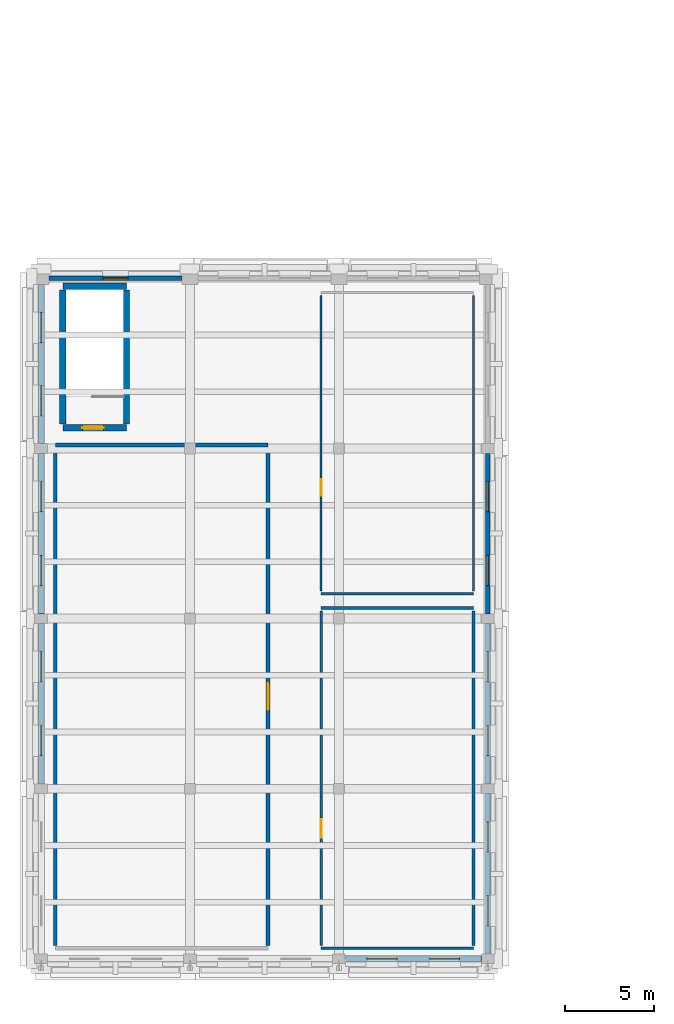
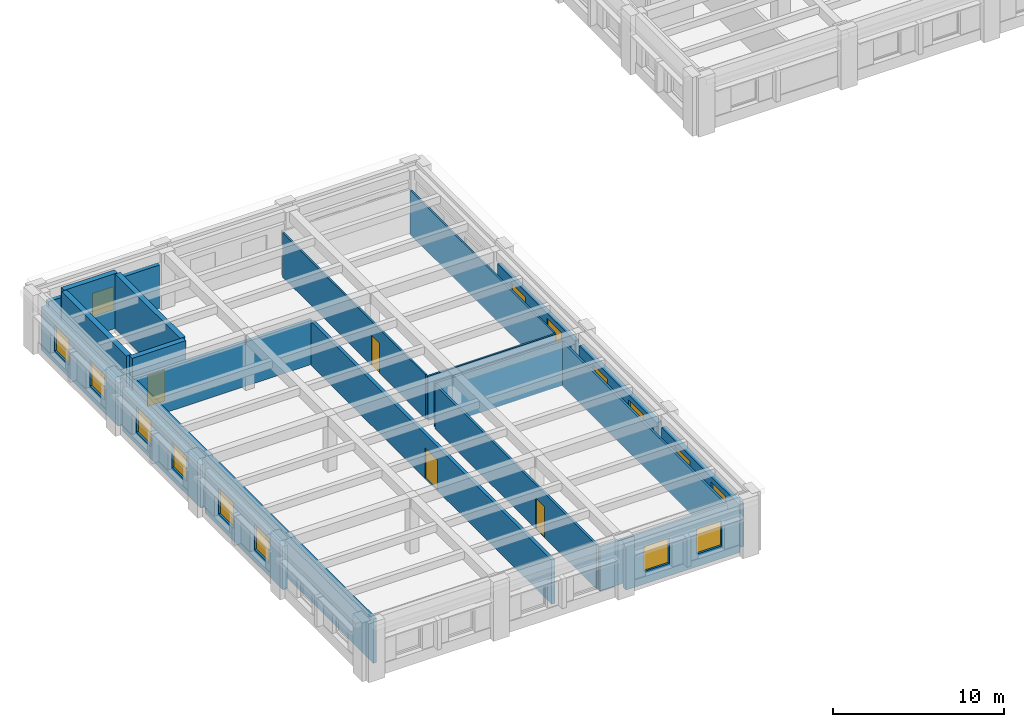
# One storey, part 7 of 17: 22 walls, 15 windows, 4 doors, 19 openings.
"""IFC4 building model written with IfcOpenShell, lengths in metres."""

from ifc_helpers import new_model, si_unit, direction, frame, frame_2d, origin, place, context, subcontext, project, spatial, rectangle, extrude, material, layer, layer_set, type_object, element, fill, save


model = new_model("IFC4")

# Units and contexts
model_context = context("Model", 3, precision=1e-05, world=origin(), true_north=direction((0.0, 1.0)))
body_context = subcontext(model_context, "Body", "Model", "MODEL_VIEW")
ifc_project = project(units=[si_unit("LENGTHUNIT", "METRE"), si_unit("AREAUNIT", "SQUARE_METRE"), si_unit("VOLUMEUNIT", "CUBIC_METRE"), si_unit("PLANEANGLEUNIT", "RADIAN"), si_unit("MASSUNIT", "GRAM", prefix="KILO")], contexts=[model_context])

# Site, building, storey
site_placement = place(None, origin())
site = spatial("IfcSite", under=ifc_project, at=site_placement, CompositionType="ELEMENT")
building_placement = place(site_placement, origin())
building = spatial("IfcBuilding", under=site, at=building_placement, Name="Bempovik Park Faculty of Sciences", CompositionType="ELEMENT")
storey_placement = place(building_placement, frame((0.0, 0.0, 22.5)))
storey = spatial("IfcBuildingStorey", under=building, at=storey_placement, Name="L05", CompositionType="ELEMENT", Elevation=22.5)

# Wall
ifc_material_1 = material(Name="Gypsum acoustic stud assembly")
ifc_layer_1 = layer(ifc_material_1, 0.1201171875)
ifc_layer_set_1 = layer_set([ifc_layer_1], Name="Gypsum acoustic stud assembly")
wall_type_1 = type_object("IfcWallType", Name="W-17 Wall 120mm", PredefinedType="PARTITIONING", material=ifc_layer_set_1)
wall_1_placement = place(storey_placement, frame((31.39990234375, 69.199951171875, 0.0), z_axis=(0.0, 0.0, 1.0), x_axis=(1.0, 0.0, 0.0)))
element("IfcWall", 1, at=wall_1_placement, inside=storey, type_object=wall_type_1, Name="L05 West Wing Principal Investigator Offices Partition South", PredefinedType="PARTITIONING", context=body_context, shape_type="SweptSolid", body=[
    extrude(rectangle(XDim=8.60009765625, YDim=0.1201171875, at=frame_2d((4.300048828125, 0.0))), origin(), (0.0, 0.0, 1.0), 3.14990234375),
])

# Wall, opening, door
wall_2_placement = place(storey_placement, frame((31.39990234375, 69.360107421875, 0.0), z_axis=(0.0, 0.0, 1.0), x_axis=(0.0, 1.0, 0.0)))
wall_2 = element("IfcWall", 2, at=wall_2_placement, inside=storey, type_object=wall_type_1, Name="L05 West Wing Principal Investigator Offices Partition West", PredefinedType="PARTITIONING", context=body_context, shape_type="SweptSolid", body=[
    extrude(rectangle(XDim=16.679931640625, YDim=0.1201171875, at=frame_2d((8.33984375, 0.0))), origin(), (0.0, 0.0, 1.0), 3.14990234375),
])
opening_1_placement = place(wall_2_placement, frame((5.363037109375, 0.0, 0.0)))
opening_1 = element("IfcOpeningElement", 3, at=opening_1_placement, cuts=wall_2, Name="Opening D-47", PredefinedType="OPENING", context=body_context, shape_type="SweptSolid", body=[
    extrude(rectangle(XDim=0.949951171875, YDim=2.14990234375, at=frame_2d((0.47509765625, 1.074951171875))), frame((0.0, 0.070068359375, 0.0), z_axis=(0.0, -1.0, 0.0), x_axis=(1.0, 0.0, 0.0)), (0.0, 0.0, 1.0), 0.14013671875),
])
ifc_material_2 = material(Name="West African hardwood finish", Category="wood")
door_type_1 = type_object("IfcDoorType", Name="D-47 Door 950x2150", OperationType="NOTDEFINED", PredefinedType="DOOR", material=ifc_material_2)
door_1_placement = place(opening_1_placement, origin())
door_1 = element("IfcDoor", 4, at=door_1_placement, inside=storey, type_object=door_type_1, Name="L05 West Wing Principal Investigator Offices Door", OperationType="SINGLE_SWING_LEFT", OverallHeight=2.14990234375, OverallWidth=0.949951171875, PredefinedType="DOOR", context=body_context, shape_type="SweptSolid", body=[
    extrude(rectangle(XDim=0.949951171875, YDim=2.14990234375, at=frame_2d((0.47509765625, 1.074951171875))), frame((0.0, 0.02490234375, 0.0), z_axis=(0.0, -1.0, 0.0), x_axis=(1.0, 0.0, 0.0)), (0.0, 0.0, 1.0), 0.050048828125),
])
fill(opening_1, door_1)

# Walls
wall_3_placement = place(storey_placement, frame((40.0, 69.360107421875, 0.0), z_axis=(0.0, 0.0, 1.0), x_axis=(0.0, 1.0, 0.0)))
element("IfcWall", 5, at=wall_3_placement, inside=storey, type_object=wall_type_1, Name="L05 West Wing Principal Investigator Offices Partition East", PredefinedType="PARTITIONING", context=body_context, shape_type="SweptSolid", body=[
    extrude(rectangle(XDim=16.679931640625, YDim=0.1201171875, at=frame_2d((8.33984375, 0.0))), origin(), (0.0, 0.0, 1.0), 3.14990234375),
])
ifc_material_3 = material(Name="Concrete C35/45", Category="concrete")
ifc_layer_2 = layer(ifc_material_3, 0.219970703125)
ifc_layer_set_2 = layer_set([ifc_layer_2], Name="Concrete C35/45")
wall_type_2 = type_object("IfcWallType", Name="W-38 Wall 220mm", PredefinedType="PARTITIONING", material=ifc_layer_set_2)
wall_4_placement = place(storey_placement, frame((16.39990234375, 77.60009765625, 0.0), z_axis=(0.0, 0.0, 1.0), x_axis=(1.0, 0.0, 0.0)))
element("IfcWall", 6, at=wall_4_placement, inside=storey, type_object=wall_type_2, Name="L05 Tropical Plant Physiology Laboratory Partition North", PredefinedType="PARTITIONING", context=body_context, shape_type="SweptSolid", body=[
    extrude(rectangle(XDim=12.0, YDim=0.219970703125, at=frame_2d((6.0, 0.0))), origin(), (0.0, 0.0, 1.0), 3.14990234375),
])
wall_5_placement = place(storey_placement, frame((16.39990234375, 49.360107421875, 0.0), z_axis=(0.0, 0.0, 1.0), x_axis=(0.0, 1.0, 0.0)))
element("IfcWall", 7, at=wall_5_placement, inside=storey, type_object=wall_type_2, Name="L05 Tropical Plant Physiology Laboratory Partition West", PredefinedType="PARTITIONING", context=body_context, shape_type="SweptSolid", body=[
    extrude(rectangle(XDim=28.079833984375, YDim=0.219970703125, at=frame_2d((14.0400390625, 0.0))), origin(), (0.0, 0.0, 1.0), 3.14990234375),
])

# Wall, opening, door
wall_6_placement = place(storey_placement, frame((28.39990234375, 49.360107421875, 0.0), z_axis=(0.0, 0.0, 1.0), x_axis=(0.0, 1.0, 0.0)))
wall_6 = element("IfcWall", 8, at=wall_6_placement, inside=storey, type_object=wall_type_2, Name="L05 Tropical Plant Physiology Laboratory Partition East", PredefinedType="PARTITIONING", context=body_context, shape_type="SweptSolid", body=[
    extrude(rectangle(XDim=28.079833984375, YDim=0.219970703125, at=frame_2d((14.0400390625, 0.0))), origin(), (0.0, 0.0, 1.0), 3.14990234375),
])
opening_2_placement = place(wall_6_placement, frame((13.2900390625, 0.0, 0.0)))
opening_2 = element("IfcOpeningElement", 9, at=opening_2_placement, cuts=wall_6, Name="Opening D-22", PredefinedType="OPENING", context=body_context, shape_type="SweptSolid", body=[
    extrude(rectangle(XDim=1.5, YDim=2.199951171875, at=frame_2d((0.75, 1.10009765625))), frame((0.0, 0.1201171875, 0.0), z_axis=(0.0, -1.0, 0.0), x_axis=(1.0, 0.0, 0.0)), (0.0, 0.0, 1.0), 0.239990234375),
])
door_type_2 = type_object("IfcDoorType", Name="D-22 Door 1500x2200", OperationType="NOTDEFINED", PredefinedType="DOOR", material=ifc_material_2)
door_2_placement = place(opening_2_placement, origin())
door_2 = element("IfcDoor", 10, at=door_2_placement, inside=storey, type_object=door_type_2, Name="L05 Tropical Plant Physiology Laboratory Door", OperationType="SINGLE_SWING_LEFT", OverallHeight=2.199951171875, OverallWidth=1.5, PredefinedType="DOOR", context=body_context, shape_type="SweptSolid", body=[
    extrude(rectangle(XDim=1.5, YDim=2.199951171875, at=frame_2d((0.75, 1.10009765625))), frame((0.0, 0.02490234375, 0.0), z_axis=(0.0, -1.0, 0.0), x_axis=(1.0, 0.0, 0.0)), (0.0, 0.0, 1.0), 0.050048828125),
])
fill(opening_2, door_2)

# Walls
ifc_layer_3 = layer(ifc_material_1, 0.14990234375)
ifc_layer_set_3 = layer_set([ifc_layer_3], Name="Gypsum acoustic stud assembly")
wall_type_3 = type_object("IfcWallType", Name="W-42 Wall 150mm", PredefinedType="PARTITIONING", material=ifc_layer_set_3)
for number, where, z_axis, x_axis, name in (
    (11, (31.39990234375, 49.199951171875, 0.0), (0.0, 0.0, 1.0), (1.0, 0.0, 0.0), "L05 Biosciences Faculty Seminar Room Partition South"),
    (12, (31.39990234375, 68.39990234375, 0.0), (0.0, 0.0, 1.0), (1.0, 0.0, 0.0), "L05 Biosciences Faculty Seminar Room Partition North"),
):
    element("IfcWall", number, at=place(storey_placement, frame(where, z_axis=z_axis, x_axis=x_axis)), inside=storey, type_object=wall_type_3, Name=name, PredefinedType="PARTITIONING", context=body_context, shape_type="SweptSolid", body=[
        extrude(rectangle(XDim=8.60009765625, YDim=0.14990234375, at=frame_2d((4.300048828125, 0.0))), origin(), (0.0, 0.0, 1.0), 3.14990234375),
    ])

# Wall, opening, door
wall_7_placement = place(storey_placement, frame((31.39990234375, 49.360107421875, 0.0), z_axis=(0.0, 0.0, 1.0), x_axis=(0.0, 1.0, 0.0)))
wall_7 = element("IfcWall", 13, at=wall_7_placement, inside=storey, type_object=wall_type_3, Name="L05 Biosciences Faculty Seminar Room Partition West", PredefinedType="PARTITIONING", context=body_context, shape_type="SweptSolid", body=[
    extrude(rectangle(XDim=18.8798828125, YDim=0.14990234375, at=frame_2d((9.43994140625, 0.0))), origin(), (0.0, 0.0, 1.0), 3.14990234375),
])
opening_3_placement = place(wall_7_placement, frame((6.0830078125, 0.0, 0.0)))
opening_3 = element("IfcOpeningElement", 14, at=opening_3_placement, cuts=wall_7, Name="Opening D-16", PredefinedType="OPENING", context=body_context, shape_type="SweptSolid", body=[
    extrude(rectangle(XDim=1.050048828125, YDim=2.199951171875, at=frame_2d((0.52490234375, 1.10009765625))), frame((0.0, 0.0849609375, 0.0), z_axis=(0.0, -1.0, 0.0), x_axis=(1.0, 0.0, 0.0)), (0.0, 0.0, 1.0), 0.169921875),
])
door_type_3 = type_object("IfcDoorType", Name="D-16 Door 1050x2200", OperationType="NOTDEFINED", PredefinedType="DOOR", material=ifc_material_2)
door_3_placement = place(opening_3_placement, origin())
door_3 = element("IfcDoor", 15, at=door_3_placement, inside=storey, type_object=door_type_3, Name="L05 Biosciences Faculty Seminar Room Door", OperationType="SINGLE_SWING_RIGHT", OverallHeight=2.199951171875, OverallWidth=1.050048828125, PredefinedType="DOOR", context=body_context, shape_type="SweptSolid", body=[
    extrude(rectangle(XDim=1.050048828125, YDim=2.199951171875, at=frame_2d((0.52490234375, 1.10009765625))), frame((0.0, 0.02490234375, 0.0), z_axis=(0.0, -1.0, 0.0), x_axis=(1.0, 0.0, 0.0)), (0.0, 0.0, 1.0), 0.050048828125),
])
fill(opening_3, door_3)

# Wall
wall_8_placement = place(storey_placement, frame((40.0, 49.360107421875, 0.0), z_axis=(0.0, 0.0, 1.0), x_axis=(0.0, 1.0, 0.0)))
element("IfcWall", 16, at=wall_8_placement, inside=storey, type_object=wall_type_3, Name="L05 Biosciences Faculty Seminar Room Partition East", PredefinedType="PARTITIONING", context=body_context, shape_type="SweptSolid", body=[
    extrude(rectangle(XDim=18.8798828125, YDim=0.14990234375, at=frame_2d((9.43994140625, 0.0))), origin(), (0.0, 0.0, 1.0), 3.14990234375),
])

# Wall, opening, door
ifc_material_4 = material(Name="Concrete C40/50", Category="concrete")
ifc_layer_4 = layer(ifc_material_4, 0.35009765625)
ifc_layer_set_4 = layer_set([ifc_layer_4], Name="Concrete C40/50")
wall_type_4 = type_object("IfcWallType", Name="W-46 Wall 350mm", PredefinedType="SHEAR", material=ifc_layer_set_4)
wall_9_placement = place(storey_placement, frame((16.824951171875, 78.574951171875, 0.0), z_axis=(0.0, 0.0, 1.0), x_axis=(1.0, 0.0, 0.0)))
wall_9 = element("IfcWall", 17, at=wall_9_placement, inside=storey, type_object=wall_type_4, Name="ST-3 L05 Core Shear Wall South", PredefinedType="SHEAR", context=body_context, shape_type="SweptSolid", body=[
    extrude(rectangle(XDim=3.60009765625, YDim=0.35009765625, at=frame_2d((1.800048828125, 0.0))), origin(), (0.0, 0.0, 1.0), 3.919921875),
])
opening_4_placement = place(wall_9_placement, frame((1.10009765625, 0.0, 0.0)))
opening_4 = element("IfcOpeningElement", 18, at=opening_4_placement, cuts=wall_9, Name="Opening D-49", PredefinedType="OPENING", context=body_context, shape_type="SweptSolid", body=[
    extrude(rectangle(XDim=1.199951171875, YDim=2.199951171875, at=frame_2d((0.60009765625, 1.10009765625))), frame((0.0, 0.18505859375, 0.0), z_axis=(0.0, -1.0, 0.0), x_axis=(1.0, 0.0, 0.0)), (0.0, 0.0, 1.0), 0.3701171875),
])
ifc_material_5 = material(Name="Painted steel S355", Category="steel")
door_type_4 = type_object("IfcDoorType", Name="D-49 Door 1200x2200", OperationType="NOTDEFINED", PredefinedType="DOOR", material=ifc_material_5)
door_4_placement = place(opening_4_placement, origin())
door_4 = element("IfcDoor", 19, at=door_4_placement, inside=storey, type_object=door_type_4, Name="ST-3 L05 Protected Stair Smoke Door", OperationType="SINGLE_SWING_RIGHT", OverallHeight=2.199951171875, OverallWidth=1.199951171875, PredefinedType="DOOR", context=body_context, shape_type="SweptSolid", body=[
    extrude(rectangle(XDim=1.199951171875, YDim=2.199951171875, at=frame_2d((0.60009765625, 1.10009765625))), frame((0.0, 0.02490234375, 0.0), z_axis=(0.0, -1.0, 0.0), x_axis=(1.0, 0.0, 0.0)), (0.0, 0.0, 1.0), 0.050048828125),
])
fill(opening_4, door_4)

# Walls
for number, where, z_axis, x_axis, name in (
    (20, (16.824951171875, 78.77490234375, 0.0), (0.0, 0.0, 1.0), (0.0, 1.0, 0.0), "ST-3 L05 Core Shear Wall West"),
    (21, (20.425048828125, 78.77490234375, 0.0), (0.0, 0.0, 1.0), (0.0, 1.0, 0.0), "ST-3 L05 Core Shear Wall East"),
):
    element("IfcWall", number, at=place(storey_placement, frame(where, z_axis=z_axis, x_axis=x_axis)), inside=storey, type_object=wall_type_4, Name=name, PredefinedType="SHEAR", context=body_context, shape_type="SweptSolid", body=[
        extrude(rectangle(XDim=7.5751953125, YDim=0.35009765625, at=frame_2d((3.78759765625, 0.0))), origin(), (0.0, 0.0, 1.0), 3.919921875),
    ])
wall_10_placement = place(storey_placement, frame((16.824951171875, 86.550048828125, 0.0), z_axis=(0.0, 0.0, 1.0), x_axis=(1.0, 0.0, 0.0)))
element("IfcWall", 22, at=wall_10_placement, inside=storey, type_object=wall_type_4, Name="ST-3 L05 Core Shear Wall North", PredefinedType="SHEAR", context=body_context, shape_type="SweptSolid", body=[
    extrude(rectangle(XDim=3.60009765625, YDim=0.35009765625, at=frame_2d((1.800048828125, 0.0))), origin(), (0.0, 0.0, 1.0), 3.919921875),
])

# Wall, opening, window
ifc_material_6 = material(Name="Precast concrete C40/50", Category="concrete")
ifc_layer_5 = layer(ifc_material_6, 0.260009765625)
ifc_layer_set_5 = layer_set([ifc_layer_5], Name="Precast concrete C40/50")
wall_type_5 = type_object("IfcWallType", Name="W-54 Wall 260mm", PredefinedType="SOLIDWALL", material=ifc_layer_set_5)
wall_11_placement = place(storey_placement, frame((16.052001953125, 87.0, 0.0), z_axis=(0.0, 0.0, 1.0), x_axis=(1.0, 0.0, 0.0)))
wall_11 = element("IfcWall", 23, at=wall_11_placement, inside=storey, type_object=wall_type_5, Name="L05 Classical Precast Facade Wall EW-L05-9965", PredefinedType="SOLIDWALL", context=body_context, shape_type="SweptSolid", body=[
    extrude(rectangle(XDim=7.49609375, YDim=0.260009765625, at=frame_2d((3.748046875, 0.0))), origin(), (0.0, 0.0, 1.0), 3.080078125),
])
opening_5_placement = place(wall_11_placement, frame((3.048095703125, 0.0, 0.89990234375)))
opening_5 = element("IfcOpeningElement", 24, at=opening_5_placement, cuts=wall_11, Name="Opening WN-84", PredefinedType="OPENING", context=body_context, shape_type="SweptSolid", body=[
    extrude(rectangle(XDim=1.39990234375, YDim=1.64990234375, at=frame_2d((0.699951171875, 0.824951171875))), frame((0.0, 0.14013671875, 0.0), z_axis=(0.0, -1.0, 0.0), x_axis=(1.0, 0.0, 0.0)), (0.0, 0.0, 1.0), 0.280029296875),
])
ifc_material_7 = material(Name="Tempered laminated low-E glass", Category="glass")
window_type_1 = type_object("IfcWindowType", Name="WN-84 Window 1400x1650", PartitioningType="SINGLE_PANEL", PredefinedType="WINDOW", material=ifc_material_7)
window_1_placement = place(opening_5_placement, origin())
window_1 = element("IfcWindow", 25, at=window_1_placement, inside=storey, type_object=window_type_1, Name="L05 Stairwell Classical Lancet Window EW-L05-9965", OverallHeight=1.64990234375, OverallWidth=1.39990234375, PartitioningType="SINGLE_PANEL", PredefinedType="WINDOW", context=body_context, shape_type="SweptSolid", body=[
    extrude(rectangle(XDim=1.39990234375, YDim=1.64990234375, at=frame_2d((0.699951171875, 0.824951171875))), frame((0.0, 0.030029296875, 0.0), z_axis=(0.0, -1.0, 0.0), x_axis=(1.0, 0.0, 0.0)), (0.0, 0.0, 1.0), 0.06005859375),
])
fill(opening_5, window_1)

# Wall, openings, windows
wall_12_placement = place(storey_placement, frame((40.800048828125, 68.072021484375, 0.0), z_axis=(0.0, 0.0, 1.0), x_axis=(0.0, 1.0, 0.0)))
wall_12 = element("IfcWall", 26, at=wall_12_placement, inside=storey, type_object=wall_type_5, Name="L05 Classical Precast Facade Wall EW-L05-10026", PredefinedType="SOLIDWALL", context=body_context, shape_type="SweptSolid", body=[
    extrude(rectangle(XDim=9.055908203125, YDim=0.260009765625, at=frame_2d((4.52783203125, 0.0))), origin(), (0.0, 0.0, 1.0), 3.080078125),
])
opening_6_placement = place(wall_12_placement, frame((1.59521484375, 0.0, 0.89990234375)))
opening_6 = element("IfcOpeningElement", 27, at=opening_6_placement, cuts=wall_12, Name="Opening WN-33", PredefinedType="OPENING", context=body_context, shape_type="SweptSolid", body=[
    extrude(rectangle(XDim=1.699951171875, YDim=1.800048828125, at=frame_2d((0.85009765625, 0.89990234375))), frame((0.0, 0.14013671875, 0.0), z_axis=(0.0, -1.0, 0.0), x_axis=(1.0, 0.0, 0.0)), (0.0, 0.0, 1.0), 0.280029296875),
])
opening_7_placement = place(wall_12_placement, frame((5.760986328125, 0.0, 0.89990234375)))
opening_7 = element("IfcOpeningElement", 28, at=opening_7_placement, cuts=wall_12, Name="Opening WN-33", PredefinedType="OPENING", context=body_context, shape_type="SweptSolid", body=[
    extrude(rectangle(XDim=1.699951171875, YDim=1.800048828125, at=frame_2d((0.85009765625, 0.89990234375))), frame((0.0, 0.14013671875, 0.0), z_axis=(0.0, -1.0, 0.0), x_axis=(1.0, 0.0, 0.0)), (0.0, 0.0, 1.0), 0.280029296875),
])
window_type_2 = type_object("IfcWindowType", Name="WN-33 Window 1700x1800", PartitioningType="SINGLE_PANEL", PredefinedType="WINDOW", material=ifc_material_7)
window_2_placement = place(opening_6_placement, origin())
window_2 = element("IfcWindow", 29, at=window_2_placement, inside=storey, type_object=window_type_2, Name="L05 Window EW-L05-10026-1", OverallHeight=1.800048828125, OverallWidth=1.699951171875, PartitioningType="SINGLE_PANEL", PredefinedType="WINDOW", context=body_context, shape_type="SweptSolid", body=[
    extrude(rectangle(XDim=1.699951171875, YDim=1.800048828125, at=frame_2d((0.85009765625, 0.89990234375))), frame((0.0, 0.030029296875, 0.0), z_axis=(0.0, -1.0, 0.0), x_axis=(1.0, 0.0, 0.0)), (0.0, 0.0, 1.0), 0.06005859375),
])
fill(opening_6, window_2)
window_3_placement = place(opening_7_placement, origin())
window_3 = element("IfcWindow", 30, at=window_3_placement, inside=storey, type_object=window_type_2, Name="L05 Window EW-L05-10026-2", OverallHeight=1.800048828125, OverallWidth=1.699951171875, PartitioningType="SINGLE_PANEL", PredefinedType="WINDOW", context=body_context, shape_type="SweptSolid", body=[
    extrude(rectangle(XDim=1.699951171875, YDim=1.800048828125, at=frame_2d((0.85009765625, 0.89990234375))), frame((0.0, 0.030029296875, 0.0), z_axis=(0.0, -1.0, 0.0), x_axis=(1.0, 0.0, 0.0)), (0.0, 0.0, 1.0), 0.06005859375),
])
fill(opening_7, window_3)

ifc_layer_6 = layer(ifc_material_6, 0.320068359375)
ifc_layer_set_6 = layer_set([ifc_layer_6], Name="Precast concrete C40/50")
wall_type_6 = type_object("IfcWallType", Name="W-56 Wall 320mm", PredefinedType="SOLIDWALL", material=ifc_layer_set_6)
wall_13_placement = place(storey_placement, frame((15.60009765625, 58.471923828125, 0.0), z_axis=(0.0, 0.0, 1.0), x_axis=(0.0, 1.0, 0.0)))
wall_13 = element("IfcWall", 31, at=wall_13_placement, inside=storey, type_object=wall_type_6, Name="L05 Classical Precast Facade Wall EW-L05-9926", PredefinedType="SOLIDWALL", context=body_context, shape_type="SweptSolid", body=[
    extrude(rectangle(XDim=9.05615234375, YDim=0.320068359375, at=frame_2d((4.528076171875, 0.0))), origin(), (0.0, 0.0, 1.0), 3.080078125),
])
opening_8_placement = place(wall_13_placement, frame((1.59521484375, 0.0, 0.89990234375)))
opening_8 = element("IfcOpeningElement", 32, at=opening_8_placement, cuts=wall_13, Name="Opening WN-33", PredefinedType="OPENING", context=body_context, shape_type="SweptSolid", body=[
    extrude(rectangle(XDim=1.699951171875, YDim=1.800048828125, at=frame_2d((0.85009765625, 0.89990234375))), frame((0.0, 0.169921875, 0.0), z_axis=(0.0, -1.0, 0.0), x_axis=(1.0, 0.0, 0.0)), (0.0, 0.0, 1.0), 0.340087890625),
])
opening_9_placement = place(wall_13_placement, frame((5.760986328125, 0.0, 0.89990234375)))
opening_9 = element("IfcOpeningElement", 33, at=opening_9_placement, cuts=wall_13, Name="Opening WN-33", PredefinedType="OPENING", context=body_context, shape_type="SweptSolid", body=[
    extrude(rectangle(XDim=1.699951171875, YDim=1.800048828125, at=frame_2d((0.85009765625, 0.89990234375))), frame((0.0, 0.169921875, 0.0), z_axis=(0.0, -1.0, 0.0), x_axis=(1.0, 0.0, 0.0)), (0.0, 0.0, 1.0), 0.340087890625),
])
window_4_placement = place(opening_8_placement, origin())
window_4 = element("IfcWindow", 34, at=window_4_placement, inside=storey, type_object=window_type_2, Name="L05 Window EW-L05-9926-1", OverallHeight=1.800048828125, OverallWidth=1.699951171875, PartitioningType="SINGLE_PANEL", PredefinedType="WINDOW", context=body_context, shape_type="SweptSolid", body=[
    extrude(rectangle(XDim=1.699951171875, YDim=1.800048828125, at=frame_2d((0.85009765625, 0.89990234375))), frame((0.0, 0.030029296875, 0.0), z_axis=(0.0, -1.0, 0.0), x_axis=(1.0, 0.0, 0.0)), (0.0, 0.0, 1.0), 0.06005859375),
])
fill(opening_8, window_4)
window_5_placement = place(opening_9_placement, origin())
window_5 = element("IfcWindow", 35, at=window_5_placement, inside=storey, type_object=window_type_2, Name="L05 Window EW-L05-9926-2", OverallHeight=1.800048828125, OverallWidth=1.699951171875, PartitioningType="SINGLE_PANEL", PredefinedType="WINDOW", context=body_context, shape_type="SweptSolid", body=[
    extrude(rectangle(XDim=1.699951171875, YDim=1.800048828125, at=frame_2d((0.85009765625, 0.89990234375))), frame((0.0, 0.030029296875, 0.0), z_axis=(0.0, -1.0, 0.0), x_axis=(1.0, 0.0, 0.0)), (0.0, 0.0, 1.0), 0.06005859375),
])
fill(opening_9, window_5)

wall_14_placement = place(storey_placement, frame((15.60009765625, 68.072021484375, 0.0), z_axis=(0.0, 0.0, 1.0), x_axis=(0.0, 1.0, 0.0)))
wall_14 = element("IfcWall", 36, at=wall_14_placement, inside=storey, type_object=wall_type_6, Name="L05 Classical Precast Facade Wall EW-L05-9939", PredefinedType="SOLIDWALL", context=body_context, shape_type="SweptSolid", body=[
    extrude(rectangle(XDim=9.055908203125, YDim=0.320068359375, at=frame_2d((4.52783203125, 0.0))), origin(), (0.0, 0.0, 1.0), 3.080078125),
])
opening_10_placement = place(wall_14_placement, frame((1.59521484375, 0.0, 0.89990234375)))
opening_10 = element("IfcOpeningElement", 37, at=opening_10_placement, cuts=wall_14, Name="Opening WN-33", PredefinedType="OPENING", context=body_context, shape_type="SweptSolid", body=[
    extrude(rectangle(XDim=1.699951171875, YDim=1.800048828125, at=frame_2d((0.85009765625, 0.89990234375))), frame((0.0, 0.169921875, 0.0), z_axis=(0.0, -1.0, 0.0), x_axis=(1.0, 0.0, 0.0)), (0.0, 0.0, 1.0), 0.340087890625),
])
opening_11_placement = place(wall_14_placement, frame((5.760986328125, 0.0, 0.89990234375)))
opening_11 = element("IfcOpeningElement", 38, at=opening_11_placement, cuts=wall_14, Name="Opening WN-33", PredefinedType="OPENING", context=body_context, shape_type="SweptSolid", body=[
    extrude(rectangle(XDim=1.699951171875, YDim=1.800048828125, at=frame_2d((0.85009765625, 0.89990234375))), frame((0.0, 0.169921875, 0.0), z_axis=(0.0, -1.0, 0.0), x_axis=(1.0, 0.0, 0.0)), (0.0, 0.0, 1.0), 0.340087890625),
])
window_6_placement = place(opening_10_placement, origin())
window_6 = element("IfcWindow", 39, at=window_6_placement, inside=storey, type_object=window_type_2, Name="L05 Window EW-L05-9939-1", OverallHeight=1.800048828125, OverallWidth=1.699951171875, PartitioningType="SINGLE_PANEL", PredefinedType="WINDOW", context=body_context, shape_type="SweptSolid", body=[
    extrude(rectangle(XDim=1.699951171875, YDim=1.800048828125, at=frame_2d((0.85009765625, 0.89990234375))), frame((0.0, 0.030029296875, 0.0), z_axis=(0.0, -1.0, 0.0), x_axis=(1.0, 0.0, 0.0)), (0.0, 0.0, 1.0), 0.06005859375),
])
fill(opening_10, window_6)
window_7_placement = place(opening_11_placement, origin())
window_7 = element("IfcWindow", 40, at=window_7_placement, inside=storey, type_object=window_type_2, Name="L05 Window EW-L05-9939-2", OverallHeight=1.800048828125, OverallWidth=1.699951171875, PartitioningType="SINGLE_PANEL", PredefinedType="WINDOW", context=body_context, shape_type="SweptSolid", body=[
    extrude(rectangle(XDim=1.699951171875, YDim=1.800048828125, at=frame_2d((0.85009765625, 0.89990234375))), frame((0.0, 0.030029296875, 0.0), z_axis=(0.0, -1.0, 0.0), x_axis=(1.0, 0.0, 0.0)), (0.0, 0.0, 1.0), 0.06005859375),
])
fill(opening_11, window_7)

wall_15_placement = place(storey_placement, frame((15.60009765625, 77.672119140625, 0.0), z_axis=(0.0, 0.0, 1.0), x_axis=(0.0, 1.0, 0.0)))
wall_15 = element("IfcWall", 41, at=wall_15_placement, inside=storey, type_object=wall_type_6, Name="L05 Classical Precast Facade Wall EW-L05-9952", PredefinedType="SOLIDWALL", context=body_context, shape_type="SweptSolid", body=[
    extrude(rectangle(XDim=8.975830078125, YDim=0.320068359375, at=frame_2d((4.48779296875, 0.0))), origin(), (0.0, 0.0, 1.0), 3.080078125),
])
opening_12_placement = place(wall_15_placement, frame((1.573486328125, 0.0, 0.89990234375)))
opening_12 = element("IfcOpeningElement", 42, at=opening_12_placement, cuts=wall_15, Name="Opening WN-33", PredefinedType="OPENING", context=body_context, shape_type="SweptSolid", body=[
    extrude(rectangle(XDim=1.699951171875, YDim=1.800048828125, at=frame_2d((0.85009765625, 0.89990234375))), frame((0.0, 0.169921875, 0.0), z_axis=(0.0, -1.0, 0.0), x_axis=(1.0, 0.0, 0.0)), (0.0, 0.0, 1.0), 0.340087890625),
])
opening_13_placement = place(wall_15_placement, frame((5.702392578125, 0.0, 0.89990234375)))
opening_13 = element("IfcOpeningElement", 43, at=opening_13_placement, cuts=wall_15, Name="Opening WN-33", PredefinedType="OPENING", context=body_context, shape_type="SweptSolid", body=[
    extrude(rectangle(XDim=1.699951171875, YDim=1.800048828125, at=frame_2d((0.85009765625, 0.89990234375))), frame((0.0, 0.169921875, 0.0), z_axis=(0.0, -1.0, 0.0), x_axis=(1.0, 0.0, 0.0)), (0.0, 0.0, 1.0), 0.340087890625),
])
window_8_placement = place(opening_12_placement, origin())
window_8 = element("IfcWindow", 44, at=window_8_placement, inside=storey, type_object=window_type_2, Name="L05 Window EW-L05-9952-1", OverallHeight=1.800048828125, OverallWidth=1.699951171875, PartitioningType="SINGLE_PANEL", PredefinedType="WINDOW", context=body_context, shape_type="SweptSolid", body=[
    extrude(rectangle(XDim=1.699951171875, YDim=1.800048828125, at=frame_2d((0.85009765625, 0.89990234375))), frame((0.0, 0.030029296875, 0.0), z_axis=(0.0, -1.0, 0.0), x_axis=(1.0, 0.0, 0.0)), (0.0, 0.0, 1.0), 0.06005859375),
])
fill(opening_12, window_8)
window_9_placement = place(opening_13_placement, origin())
window_9 = element("IfcWindow", 45, at=window_9_placement, inside=storey, type_object=window_type_2, Name="L05 Window EW-L05-9952-2", OverallHeight=1.800048828125, OverallWidth=1.699951171875, PartitioningType="SINGLE_PANEL", PredefinedType="WINDOW", context=body_context, shape_type="SweptSolid", body=[
    extrude(rectangle(XDim=1.699951171875, YDim=1.800048828125, at=frame_2d((0.85009765625, 0.89990234375))), frame((0.0, 0.030029296875, 0.0), z_axis=(0.0, -1.0, 0.0), x_axis=(1.0, 0.0, 0.0)), (0.0, 0.0, 1.0), 0.06005859375),
])
fill(opening_13, window_9)

wall_16_placement = place(storey_placement, frame((40.800048828125, 48.8720703125, 0.0), z_axis=(0.0, 0.0, 1.0), x_axis=(0.0, 1.0, 0.0)))
wall_16 = element("IfcWall", 46, at=wall_16_placement, inside=storey, type_object=wall_type_6, Name="L05 Classical Precast Facade Wall EW-L05-9999", PredefinedType="SOLIDWALL", context=body_context, shape_type="SweptSolid", body=[
    extrude(rectangle(XDim=9.055908203125, YDim=0.320068359375, at=frame_2d((4.52783203125, 0.0))), origin(), (0.0, 0.0, 1.0), 3.080078125),
])
opening_14_placement = place(wall_16_placement, frame((1.59521484375, 0.0, 0.89990234375)))
opening_14 = element("IfcOpeningElement", 47, at=opening_14_placement, cuts=wall_16, Name="Opening WN-33", PredefinedType="OPENING", context=body_context, shape_type="SweptSolid", body=[
    extrude(rectangle(XDim=1.699951171875, YDim=1.800048828125, at=frame_2d((0.85009765625, 0.89990234375))), frame((0.0, 0.169921875, 0.0), z_axis=(0.0, -1.0, 0.0), x_axis=(1.0, 0.0, 0.0)), (0.0, 0.0, 1.0), 0.340087890625),
])
opening_15_placement = place(wall_16_placement, frame((5.760986328125, 0.0, 0.89990234375)))
opening_15 = element("IfcOpeningElement", 48, at=opening_15_placement, cuts=wall_16, Name="Opening WN-33", PredefinedType="OPENING", context=body_context, shape_type="SweptSolid", body=[
    extrude(rectangle(XDim=1.699951171875, YDim=1.800048828125, at=frame_2d((0.85009765625, 0.89990234375))), frame((0.0, 0.169921875, 0.0), z_axis=(0.0, -1.0, 0.0), x_axis=(1.0, 0.0, 0.0)), (0.0, 0.0, 1.0), 0.340087890625),
])
window_10_placement = place(opening_14_placement, origin())
window_10 = element("IfcWindow", 49, at=window_10_placement, inside=storey, type_object=window_type_2, Name="L05 Window EW-L05-9999-1", OverallHeight=1.800048828125, OverallWidth=1.699951171875, PartitioningType="SINGLE_PANEL", PredefinedType="WINDOW", context=body_context, shape_type="SweptSolid", body=[
    extrude(rectangle(XDim=1.699951171875, YDim=1.800048828125, at=frame_2d((0.85009765625, 0.89990234375))), frame((0.0, 0.030029296875, 0.0), z_axis=(0.0, -1.0, 0.0), x_axis=(1.0, 0.0, 0.0)), (0.0, 0.0, 1.0), 0.06005859375),
])
fill(opening_14, window_10)
window_11_placement = place(opening_15_placement, origin())
window_11 = element("IfcWindow", 50, at=window_11_placement, inside=storey, type_object=window_type_2, Name="L05 Window EW-L05-9999-2", OverallHeight=1.800048828125, OverallWidth=1.699951171875, PartitioningType="SINGLE_PANEL", PredefinedType="WINDOW", context=body_context, shape_type="SweptSolid", body=[
    extrude(rectangle(XDim=1.699951171875, YDim=1.800048828125, at=frame_2d((0.85009765625, 0.89990234375))), frame((0.0, 0.030029296875, 0.0), z_axis=(0.0, -1.0, 0.0), x_axis=(1.0, 0.0, 0.0)), (0.0, 0.0, 1.0), 0.06005859375),
])
fill(opening_15, window_11)

wall_17_placement = place(storey_placement, frame((40.800048828125, 58.471923828125, 0.0), z_axis=(0.0, 0.0, 1.0), x_axis=(0.0, 1.0, 0.0)))
wall_17 = element("IfcWall", 51, at=wall_17_placement, inside=storey, type_object=wall_type_6, Name="L05 Classical Precast Facade Wall EW-L05-10013", PredefinedType="SOLIDWALL", context=body_context, shape_type="SweptSolid", body=[
    extrude(rectangle(XDim=9.05615234375, YDim=0.320068359375, at=frame_2d((4.528076171875, 0.0))), origin(), (0.0, 0.0, 1.0), 3.080078125),
])
opening_16_placement = place(wall_17_placement, frame((1.59521484375, 0.0, 0.89990234375)))
opening_16 = element("IfcOpeningElement", 52, at=opening_16_placement, cuts=wall_17, Name="Opening WN-33", PredefinedType="OPENING", context=body_context, shape_type="SweptSolid", body=[
    extrude(rectangle(XDim=1.699951171875, YDim=1.800048828125, at=frame_2d((0.85009765625, 0.89990234375))), frame((0.0, 0.169921875, 0.0), z_axis=(0.0, -1.0, 0.0), x_axis=(1.0, 0.0, 0.0)), (0.0, 0.0, 1.0), 0.340087890625),
])
opening_17_placement = place(wall_17_placement, frame((5.760986328125, 0.0, 0.89990234375)))
opening_17 = element("IfcOpeningElement", 53, at=opening_17_placement, cuts=wall_17, Name="Opening WN-33", PredefinedType="OPENING", context=body_context, shape_type="SweptSolid", body=[
    extrude(rectangle(XDim=1.699951171875, YDim=1.800048828125, at=frame_2d((0.85009765625, 0.89990234375))), frame((0.0, 0.169921875, 0.0), z_axis=(0.0, -1.0, 0.0), x_axis=(1.0, 0.0, 0.0)), (0.0, 0.0, 1.0), 0.340087890625),
])
window_12_placement = place(opening_16_placement, origin())
window_12 = element("IfcWindow", 54, at=window_12_placement, inside=storey, type_object=window_type_2, Name="L05 Window EW-L05-10013-1", OverallHeight=1.800048828125, OverallWidth=1.699951171875, PartitioningType="SINGLE_PANEL", PredefinedType="WINDOW", context=body_context, shape_type="SweptSolid", body=[
    extrude(rectangle(XDim=1.699951171875, YDim=1.800048828125, at=frame_2d((0.85009765625, 0.89990234375))), frame((0.0, 0.030029296875, 0.0), z_axis=(0.0, -1.0, 0.0), x_axis=(1.0, 0.0, 0.0)), (0.0, 0.0, 1.0), 0.06005859375),
])
fill(opening_16, window_12)
window_13_placement = place(opening_17_placement, origin())
window_13 = element("IfcWindow", 55, at=window_13_placement, inside=storey, type_object=window_type_2, Name="L05 Window EW-L05-10013-2", OverallHeight=1.800048828125, OverallWidth=1.699951171875, PartitioningType="SINGLE_PANEL", PredefinedType="WINDOW", context=body_context, shape_type="SweptSolid", body=[
    extrude(rectangle(XDim=1.699951171875, YDim=1.800048828125, at=frame_2d((0.85009765625, 0.89990234375))), frame((0.0, 0.030029296875, 0.0), z_axis=(0.0, -1.0, 0.0), x_axis=(1.0, 0.0, 0.0)), (0.0, 0.0, 1.0), 0.06005859375),
])
fill(opening_17, window_13)

wall_18_placement = place(storey_placement, frame((32.761962890625, 48.60009765625, 0.0), z_axis=(0.0, 0.0, 1.0), x_axis=(1.0, 0.0, 0.0)))
wall_18 = element("IfcWall", 56, at=wall_18_placement, inside=storey, type_object=wall_type_6, Name="L05 Classical Precast Facade Wall EW-L05-10079", PredefinedType="SOLIDWALL", context=body_context, shape_type="SweptSolid", body=[
    extrude(rectangle(XDim=7.676025390625, YDim=0.320068359375, at=frame_2d((3.837890625, 0.0))), origin(), (0.0, 0.0, 1.0), 3.080078125),
])
opening_18_placement = place(wall_18_placement, frame((1.222412109375, 0.0, 0.89990234375)))
opening_18 = element("IfcOpeningElement", 57, at=opening_18_placement, cuts=wall_18, Name="Opening WN-33", PredefinedType="OPENING", context=body_context, shape_type="SweptSolid", body=[
    extrude(rectangle(XDim=1.699951171875, YDim=1.800048828125, at=frame_2d((0.85009765625, 0.89990234375))), frame((0.0, 0.169921875, 0.0), z_axis=(0.0, -1.0, 0.0), x_axis=(1.0, 0.0, 0.0)), (0.0, 0.0, 1.0), 0.340087890625),
])
opening_19_placement = place(wall_18_placement, frame((4.75341796875, 0.0, 0.89990234375)))
opening_19 = element("IfcOpeningElement", 58, at=opening_19_placement, cuts=wall_18, Name="Opening WN-33", PredefinedType="OPENING", context=body_context, shape_type="SweptSolid", body=[
    extrude(rectangle(XDim=1.699951171875, YDim=1.800048828125, at=frame_2d((0.85009765625, 0.89990234375))), frame((0.0, 0.169921875, 0.0), z_axis=(0.0, -1.0, 0.0), x_axis=(1.0, 0.0, 0.0)), (0.0, 0.0, 1.0), 0.340087890625),
])
window_14_placement = place(opening_18_placement, origin())
window_14 = element("IfcWindow", 59, at=window_14_placement, inside=storey, type_object=window_type_2, Name="L05 Window EW-L05-10079-1", OverallHeight=1.800048828125, OverallWidth=1.699951171875, PartitioningType="SINGLE_PANEL", PredefinedType="WINDOW", context=body_context, shape_type="SweptSolid", body=[
    extrude(rectangle(XDim=1.699951171875, YDim=1.800048828125, at=frame_2d((0.85009765625, 0.89990234375))), frame((0.0, 0.030029296875, 0.0), z_axis=(0.0, -1.0, 0.0), x_axis=(1.0, 0.0, 0.0)), (0.0, 0.0, 1.0), 0.06005859375),
])
fill(opening_18, window_14)
window_15_placement = place(opening_19_placement, origin())
window_15 = element("IfcWindow", 60, at=window_15_placement, inside=storey, type_object=window_type_2, Name="L05 Window EW-L05-10079-2", OverallHeight=1.800048828125, OverallWidth=1.699951171875, PartitioningType="SINGLE_PANEL", PredefinedType="WINDOW", context=body_context, shape_type="SweptSolid", body=[
    extrude(rectangle(XDim=1.699951171875, YDim=1.800048828125, at=frame_2d((0.85009765625, 0.89990234375))), frame((0.0, 0.030029296875, 0.0), z_axis=(0.0, -1.0, 0.0), x_axis=(1.0, 0.0, 0.0)), (0.0, 0.0, 1.0), 0.06005859375),
])
fill(opening_19, window_15)

save(model, "model.ifc")
